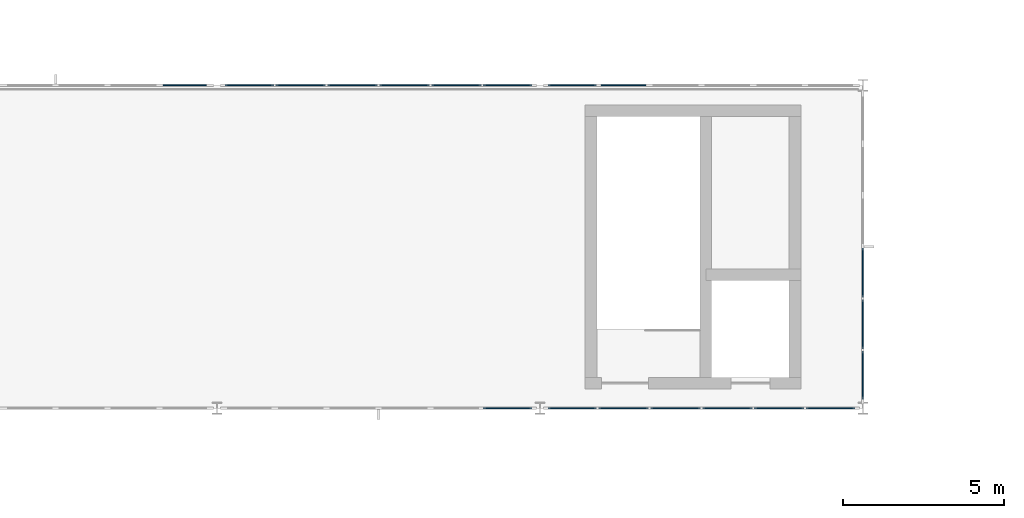
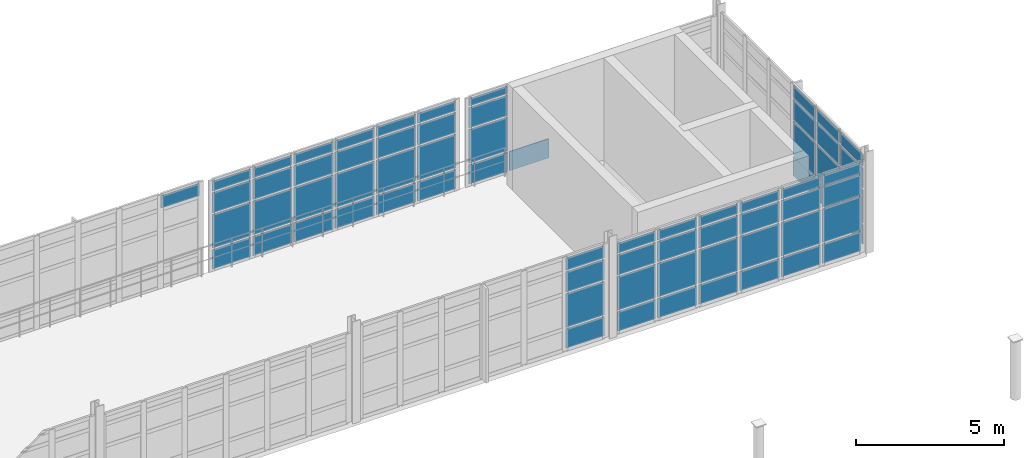
# One storey, part 82 of 122: 70 plates, 6 elements without a shape of their own.
"""IFC4 building model written with IfcOpenShell, lengths in metres."""

from ifc_helpers import new_model, si_unit, direction, frame, origin, origin_2d, place, context, subcontext, project, spatial, rectangle, extrude, material, layer, layer_set, type_object, element, aggregate, save


model = new_model("IFC4")

# Units and contexts
model_context = context("Model", 3, precision=1e-05, world=origin(), true_north=direction((0.0, 1.0)))
body_context = subcontext(model_context, "Body", "Model", "MODEL_VIEW")
ifc_project = project(units=[si_unit("LENGTHUNIT", "METRE"), si_unit("AREAUNIT", "SQUARE_METRE"), si_unit("VOLUMEUNIT", "CUBIC_METRE"), si_unit("PLANEANGLEUNIT", "RADIAN"), si_unit("MASSUNIT", "GRAM", prefix="KILO"), si_unit("THERMODYNAMICTEMPERATUREUNIT", "KELVIN"), si_unit("POWERUNIT", "WATT")], contexts=[model_context])

# Site, building, storey
site_placement = place(None, origin())
site = spatial("IfcSite", under=ifc_project, at=site_placement, CompositionType="ELEMENT")
building_placement = place(site_placement, origin())
building = spatial("IfcBuilding", under=site, at=building_placement, Name="Korenveer Ferry Terminal", CompositionType="ELEMENT")
storey_placement = place(building_placement, frame((0.0, 0.0, 10.199951171875)))
storey = spatial("IfcBuildingStorey", under=building, at=storey_placement, Name="L02", CompositionType="ELEMENT", Elevation=10.199951171875)

# Curtain wall, plates
ifc_material_1 = material(Name="Unitised bronze-and-glass curtain wall", Category="glass")
ifc_layer_1 = layer(ifc_material_1, 0.219970703125)
ifc_layer_set_1 = layer_set([ifc_layer_1], Name="Unitised bronze-and-glass curtain wall")
curtain_wall_type_1 = type_object("IfcCurtainWallType", Name="ENV-CW-92", PredefinedType="USERDEFINED", material=ifc_layer_set_1)
curtain_wall_1_placement = place(storey_placement, frame((103.179931640625, 50.0, 0.0)))
curtain_wall_1 = element("IfcCurtainWall", 1, at=curtain_wall_1_placement, inside=storey, type_object=curtain_wall_type_1, Name="Lancet curtain wall CWX-L02-X103-113-Y50-50", ObjectType="UNITISED CURTAIN WALL", PredefinedType="USERDEFINED")
ifc_material_2 = material(Name="Acoustic laminated marine glazing", Category="glass")
ifc_layer_2 = layer(ifc_material_2, 0.035888671875)
ifc_layer_set_2 = layer_set([ifc_layer_2], Name="Acoustic laminated marine glazing")
plate_type = type_object("IfcPlateType", Name="ENV-CWP-GLZ36", PredefinedType="CURTAIN_PANEL", material=ifc_layer_set_2)
plate_1_placement = place(storey_placement, frame((111.997802734375, 50.0, 0.074951171875), z_axis=(0.0, 0.0, 1.0), x_axis=(1.0, 0.0, 0.0)))
plate_1 = element("IfcPlate", 2, at=plate_1_placement, type_object=plate_type, Name="CW-92 panel 6.1", PredefinedType="CURTAIN_PANEL", context=body_context, shape_type="SweptSolid", body=[
    extrude(rectangle(XDim=1.494140625, YDim=0.035888671875, at=origin_2d()), origin(), (0.0, 0.0, 1.0), 0.78759765625),
])
plate_2_placement = place(storey_placement, frame((111.997802734375, 50.0, 0.9375), z_axis=(0.0, 0.0, 1.0), x_axis=(1.0, 0.0, 0.0)))
plate_2 = element("IfcPlate", 3, at=plate_2_placement, type_object=plate_type, Name="CW-92 panel 6.2", PredefinedType="CURTAIN_PANEL", context=body_context, shape_type="SweptSolid", body=[
    extrude(rectangle(XDim=1.494140625, YDim=0.035888671875, at=origin_2d()), origin(), (0.0, 0.0, 1.0), 1.375),
])
plate_3_placement = place(storey_placement, frame((111.997802734375, 50.0, 2.3876953125), z_axis=(0.0, 0.0, 1.0), x_axis=(1.0, 0.0, 0.0)))
plate_3 = element("IfcPlate", 4, at=plate_3_placement, type_object=plate_type, Name="CW-92 panel 6.3", PredefinedType="CURTAIN_PANEL", context=body_context, shape_type="SweptSolid", body=[
    extrude(rectangle(XDim=1.494140625, YDim=0.035888671875, at=origin_2d()), origin(), (0.0, 0.0, 1.0), 0.824951171875),
])
plate_4_placement = place(storey_placement, frame((111.997802734375, 50.0, 3.28759765625), z_axis=(0.0, 0.0, 1.0), x_axis=(1.0, 0.0, 0.0)))
plate_4 = element("IfcPlate", 5, at=plate_4_placement, type_object=plate_type, Name="CW-92 panel 6.4", PredefinedType="CURTAIN_PANEL", context=body_context, shape_type="SweptSolid", body=[
    extrude(rectangle(XDim=1.494140625, YDim=0.035888671875, at=origin_2d()), origin(), (0.0, 0.0, 1.0), 0.49755859375),
])
aggregate(curtain_wall_1, [plate_1, plate_2, plate_3, plate_4])

ifc_layer_3 = layer(ifc_material_1, 0.219970703125)
ifc_layer_set_3 = layer_set([ifc_layer_3], Name="Unitised bronze-and-glass curtain wall")
curtain_wall_type_2 = type_object("IfcCurtainWallType", Name="ENV-CW-90", PredefinedType="USERDEFINED", material=ifc_layer_set_3)
curtain_wall_2_placement = place(storey_placement, frame((113.179931640625, 50.0, 0.0)))
curtain_wall_2 = element("IfcCurtainWall", 6, at=curtain_wall_2_placement, inside=storey, type_object=curtain_wall_type_2, Name="Lancet curtain wall CWX-L02-X113-123-Y50-50", ObjectType="UNITISED CURTAIN WALL", PredefinedType="USERDEFINED")
plate_5_placement = place(storey_placement, frame((114.002197265625, 50.0, 0.074951171875), z_axis=(0.0, 0.0, 1.0), x_axis=(1.0, 0.0, 0.0)))
plate_5 = element("IfcPlate", 7, at=plate_5_placement, type_object=plate_type, Name="CW-90 panel 1.1", PredefinedType="CURTAIN_PANEL", context=body_context, shape_type="SweptSolid", body=[
    extrude(rectangle(XDim=1.494140625, YDim=0.035888671875, at=origin_2d()), origin(), (0.0, 0.0, 1.0), 0.78759765625),
])
plate_6_placement = place(storey_placement, frame((114.002197265625, 50.0, 0.9375), z_axis=(0.0, 0.0, 1.0), x_axis=(1.0, 0.0, 0.0)))
plate_6 = element("IfcPlate", 8, at=plate_6_placement, type_object=plate_type, Name="CW-90 panel 1.2", PredefinedType="CURTAIN_PANEL", context=body_context, shape_type="SweptSolid", body=[
    extrude(rectangle(XDim=1.494140625, YDim=0.035888671875, at=origin_2d()), origin(), (0.0, 0.0, 1.0), 1.375),
])
plate_7_placement = place(storey_placement, frame((114.002197265625, 50.0, 2.3876953125), z_axis=(0.0, 0.0, 1.0), x_axis=(1.0, 0.0, 0.0)))
plate_7 = element("IfcPlate", 9, at=plate_7_placement, type_object=plate_type, Name="CW-90 panel 1.3", PredefinedType="CURTAIN_PANEL", context=body_context, shape_type="SweptSolid", body=[
    extrude(rectangle(XDim=1.494140625, YDim=0.035888671875, at=origin_2d()), origin(), (0.0, 0.0, 1.0), 0.824951171875),
])
plate_8_placement = place(storey_placement, frame((114.002197265625, 50.0, 3.28759765625), z_axis=(0.0, 0.0, 1.0), x_axis=(1.0, 0.0, 0.0)))
plate_8 = element("IfcPlate", 10, at=plate_8_placement, type_object=plate_type, Name="CW-90 panel 1.4", PredefinedType="CURTAIN_PANEL", context=body_context, shape_type="SweptSolid", body=[
    extrude(rectangle(XDim=1.494140625, YDim=0.035888671875, at=origin_2d()), origin(), (0.0, 0.0, 1.0), 0.3974609375),
])
plate_9_placement = place(storey_placement, frame((115.590087890625, 50.0, 0.074951171875), z_axis=(0.0, 0.0, 1.0), x_axis=(1.0, 0.0, 0.0)))
plate_9 = element("IfcPlate", 11, at=plate_9_placement, type_object=plate_type, Name="CW-90 panel 2.1", PredefinedType="CURTAIN_PANEL", context=body_context, shape_type="SweptSolid", body=[
    extrude(rectangle(XDim=1.53173828125, YDim=0.035888671875, at=origin_2d()), origin(), (0.0, 0.0, 1.0), 0.78759765625),
])
plate_10_placement = place(storey_placement, frame((115.590087890625, 50.0, 0.9375), z_axis=(0.0, 0.0, 1.0), x_axis=(1.0, 0.0, 0.0)))
plate_10 = element("IfcPlate", 12, at=plate_10_placement, type_object=plate_type, Name="CW-90 panel 2.2", PredefinedType="CURTAIN_PANEL", context=body_context, shape_type="SweptSolid", body=[
    extrude(rectangle(XDim=1.53173828125, YDim=0.035888671875, at=origin_2d()), origin(), (0.0, 0.0, 1.0), 1.375),
])
plate_11_placement = place(storey_placement, frame((115.590087890625, 50.0, 2.3876953125), z_axis=(0.0, 0.0, 1.0), x_axis=(1.0, 0.0, 0.0)))
plate_11 = element("IfcPlate", 13, at=plate_11_placement, type_object=plate_type, Name="CW-90 panel 2.3", PredefinedType="CURTAIN_PANEL", context=body_context, shape_type="SweptSolid", body=[
    extrude(rectangle(XDim=1.53173828125, YDim=0.035888671875, at=origin_2d()), origin(), (0.0, 0.0, 1.0), 0.824951171875),
])
plate_12_placement = place(storey_placement, frame((115.590087890625, 50.0, 3.28759765625), z_axis=(0.0, 0.0, 1.0), x_axis=(1.0, 0.0, 0.0)))
plate_12 = element("IfcPlate", 14, at=plate_12_placement, type_object=plate_type, Name="CW-90 panel 2.4", PredefinedType="CURTAIN_PANEL", context=body_context, shape_type="SweptSolid", body=[
    extrude(rectangle(XDim=1.53173828125, YDim=0.035888671875, at=origin_2d()), origin(), (0.0, 0.0, 1.0), 0.3974609375),
])
plate_13_placement = place(storey_placement, frame((117.19677734375, 50.0, 0.074951171875), z_axis=(0.0, 0.0, 1.0), x_axis=(1.0, 0.0, 0.0)))
plate_13 = element("IfcPlate", 15, at=plate_13_placement, type_object=plate_type, Name="CW-90 panel 3.1", PredefinedType="CURTAIN_PANEL", context=body_context, shape_type="SweptSolid", body=[
    extrude(rectangle(XDim=1.53173828125, YDim=0.035888671875, at=origin_2d()), origin(), (0.0, 0.0, 1.0), 0.78759765625),
])
plate_14_placement = place(storey_placement, frame((117.19677734375, 50.0, 0.9375), z_axis=(0.0, 0.0, 1.0), x_axis=(1.0, 0.0, 0.0)))
plate_14 = element("IfcPlate", 16, at=plate_14_placement, type_object=plate_type, Name="CW-90 panel 3.2", PredefinedType="CURTAIN_PANEL", context=body_context, shape_type="SweptSolid", body=[
    extrude(rectangle(XDim=1.53173828125, YDim=0.035888671875, at=origin_2d()), origin(), (0.0, 0.0, 1.0), 1.375),
])
plate_15_placement = place(storey_placement, frame((117.19677734375, 50.0, 2.3876953125), z_axis=(0.0, 0.0, 1.0), x_axis=(1.0, 0.0, 0.0)))
plate_15 = element("IfcPlate", 17, at=plate_15_placement, type_object=plate_type, Name="CW-90 panel 3.3", PredefinedType="CURTAIN_PANEL", context=body_context, shape_type="SweptSolid", body=[
    extrude(rectangle(XDim=1.53173828125, YDim=0.035888671875, at=origin_2d()), origin(), (0.0, 0.0, 1.0), 0.824951171875),
])
plate_16_placement = place(storey_placement, frame((117.19677734375, 50.0, 3.28759765625), z_axis=(0.0, 0.0, 1.0), x_axis=(1.0, 0.0, 0.0)))
plate_16 = element("IfcPlate", 18, at=plate_16_placement, type_object=plate_type, Name="CW-90 panel 3.4", PredefinedType="CURTAIN_PANEL", context=body_context, shape_type="SweptSolid", body=[
    extrude(rectangle(XDim=1.53173828125, YDim=0.035888671875, at=origin_2d()), origin(), (0.0, 0.0, 1.0), 0.3974609375),
])
plate_17_placement = place(storey_placement, frame((118.80322265625, 50.0, 0.074951171875), z_axis=(0.0, 0.0, 1.0), x_axis=(1.0, 0.0, 0.0)))
plate_17 = element("IfcPlate", 19, at=plate_17_placement, type_object=plate_type, Name="CW-90 panel 4.1", PredefinedType="CURTAIN_PANEL", context=body_context, shape_type="SweptSolid", body=[
    extrude(rectangle(XDim=1.53173828125, YDim=0.035888671875, at=origin_2d()), origin(), (0.0, 0.0, 1.0), 0.78759765625),
])
plate_18_placement = place(storey_placement, frame((118.80322265625, 50.0, 0.9375), z_axis=(0.0, 0.0, 1.0), x_axis=(1.0, 0.0, 0.0)))
plate_18 = element("IfcPlate", 20, at=plate_18_placement, type_object=plate_type, Name="CW-90 panel 4.2", PredefinedType="CURTAIN_PANEL", context=body_context, shape_type="SweptSolid", body=[
    extrude(rectangle(XDim=1.53173828125, YDim=0.035888671875, at=origin_2d()), origin(), (0.0, 0.0, 1.0), 1.375),
])
plate_19_placement = place(storey_placement, frame((118.80322265625, 50.0, 2.3876953125), z_axis=(0.0, 0.0, 1.0), x_axis=(1.0, 0.0, 0.0)))
plate_19 = element("IfcPlate", 21, at=plate_19_placement, type_object=plate_type, Name="CW-90 panel 4.3", PredefinedType="CURTAIN_PANEL", context=body_context, shape_type="SweptSolid", body=[
    extrude(rectangle(XDim=1.53173828125, YDim=0.035888671875, at=origin_2d()), origin(), (0.0, 0.0, 1.0), 0.824951171875),
])
plate_20_placement = place(storey_placement, frame((118.80322265625, 50.0, 3.28759765625), z_axis=(0.0, 0.0, 1.0), x_axis=(1.0, 0.0, 0.0)))
plate_20 = element("IfcPlate", 22, at=plate_20_placement, type_object=plate_type, Name="CW-90 panel 4.4", PredefinedType="CURTAIN_PANEL", context=body_context, shape_type="SweptSolid", body=[
    extrude(rectangle(XDim=1.53173828125, YDim=0.035888671875, at=origin_2d()), origin(), (0.0, 0.0, 1.0), 0.3974609375),
])
plate_21_placement = place(storey_placement, frame((120.409912109375, 50.0, 0.074951171875), z_axis=(0.0, 0.0, 1.0), x_axis=(1.0, 0.0, 0.0)))
plate_21 = element("IfcPlate", 23, at=plate_21_placement, type_object=plate_type, Name="CW-90 panel 5.1", PredefinedType="CURTAIN_PANEL", context=body_context, shape_type="SweptSolid", body=[
    extrude(rectangle(XDim=1.53173828125, YDim=0.035888671875, at=origin_2d()), origin(), (0.0, 0.0, 1.0), 0.78759765625),
])
plate_22_placement = place(storey_placement, frame((120.409912109375, 50.0, 0.9375), z_axis=(0.0, 0.0, 1.0), x_axis=(1.0, 0.0, 0.0)))
plate_22 = element("IfcPlate", 24, at=plate_22_placement, type_object=plate_type, Name="CW-90 panel 5.2", PredefinedType="CURTAIN_PANEL", context=body_context, shape_type="SweptSolid", body=[
    extrude(rectangle(XDim=1.53173828125, YDim=0.035888671875, at=origin_2d()), origin(), (0.0, 0.0, 1.0), 1.375),
])
plate_23_placement = place(storey_placement, frame((120.409912109375, 50.0, 2.3876953125), z_axis=(0.0, 0.0, 1.0), x_axis=(1.0, 0.0, 0.0)))
plate_23 = element("IfcPlate", 25, at=plate_23_placement, type_object=plate_type, Name="CW-90 panel 5.3", PredefinedType="CURTAIN_PANEL", context=body_context, shape_type="SweptSolid", body=[
    extrude(rectangle(XDim=1.53173828125, YDim=0.035888671875, at=origin_2d()), origin(), (0.0, 0.0, 1.0), 0.824951171875),
])
plate_24_placement = place(storey_placement, frame((120.409912109375, 50.0, 3.28759765625), z_axis=(0.0, 0.0, 1.0), x_axis=(1.0, 0.0, 0.0)))
plate_24 = element("IfcPlate", 26, at=plate_24_placement, type_object=plate_type, Name="CW-90 panel 5.4", PredefinedType="CURTAIN_PANEL", context=body_context, shape_type="SweptSolid", body=[
    extrude(rectangle(XDim=1.53173828125, YDim=0.035888671875, at=origin_2d()), origin(), (0.0, 0.0, 1.0), 0.3974609375),
])
plate_25_placement = place(storey_placement, frame((121.997802734375, 50.0, 0.074951171875), z_axis=(0.0, 0.0, 1.0), x_axis=(1.0, 0.0, 0.0)))
plate_25 = element("IfcPlate", 27, at=plate_25_placement, type_object=plate_type, Name="CW-90 panel 6.1", PredefinedType="CURTAIN_PANEL", context=body_context, shape_type="SweptSolid", body=[
    extrude(rectangle(XDim=1.494140625, YDim=0.035888671875, at=origin_2d()), origin(), (0.0, 0.0, 1.0), 0.78759765625),
])
plate_26_placement = place(storey_placement, frame((121.997802734375, 50.0, 0.9375), z_axis=(0.0, 0.0, 1.0), x_axis=(1.0, 0.0, 0.0)))
plate_26 = element("IfcPlate", 28, at=plate_26_placement, type_object=plate_type, Name="CW-90 panel 6.2", PredefinedType="CURTAIN_PANEL", context=body_context, shape_type="SweptSolid", body=[
    extrude(rectangle(XDim=1.494140625, YDim=0.035888671875, at=origin_2d()), origin(), (0.0, 0.0, 1.0), 1.375),
])
plate_27_placement = place(storey_placement, frame((121.997802734375, 50.0, 2.3876953125), z_axis=(0.0, 0.0, 1.0), x_axis=(1.0, 0.0, 0.0)))
plate_27 = element("IfcPlate", 29, at=plate_27_placement, type_object=plate_type, Name="CW-90 panel 6.3", PredefinedType="CURTAIN_PANEL", context=body_context, shape_type="SweptSolid", body=[
    extrude(rectangle(XDim=1.494140625, YDim=0.035888671875, at=origin_2d()), origin(), (0.0, 0.0, 1.0), 0.824951171875),
])
plate_28_placement = place(storey_placement, frame((121.997802734375, 50.0, 3.28759765625), z_axis=(0.0, 0.0, 1.0), x_axis=(1.0, 0.0, 0.0)))
plate_28 = element("IfcPlate", 30, at=plate_28_placement, type_object=plate_type, Name="CW-90 panel 6.4", PredefinedType="CURTAIN_PANEL", context=body_context, shape_type="SweptSolid", body=[
    extrude(rectangle(XDim=1.494140625, YDim=0.035888671875, at=origin_2d()), origin(), (0.0, 0.0, 1.0), 0.3974609375),
])
aggregate(curtain_wall_2, [plate_5, plate_6, plate_7, plate_8, plate_9, plate_10, plate_11, plate_12, plate_13, plate_14, plate_15, plate_16, plate_17, plate_18, plate_19, plate_20, plate_21, plate_22, plate_23, plate_24, plate_25, plate_26, plate_27, plate_28])

# Curtain wall, plate
curtain_wall_3_placement = place(storey_placement, frame((93.179931640625, 60.0, 0.0)))
curtain_wall_3 = element("IfcCurtainWall", 31, at=curtain_wall_3_placement, inside=storey, type_object=curtain_wall_type_1, Name="Lancet curtain wall CWX-L02-X93-103-Y60-60", ObjectType="UNITISED CURTAIN WALL", PredefinedType="USERDEFINED")
plate_29_placement = place(storey_placement, frame((101.997802734375, 60.0, 3.28759765625), z_axis=(0.0, 0.0, 1.0), x_axis=(1.0, 0.0, 0.0)))
plate_29 = element("IfcPlate", 32, at=plate_29_placement, type_object=plate_type, Name="CW-92 panel 6.4", PredefinedType="CURTAIN_PANEL", context=body_context, shape_type="SweptSolid", body=[
    extrude(rectangle(XDim=1.494140625, YDim=0.035888671875, at=origin_2d()), origin(), (0.0, 0.0, 1.0), 0.49755859375),
])
aggregate(curtain_wall_3, [plate_29])

# Curtain wall, plates
curtain_wall_4_placement = place(storey_placement, frame((103.179931640625, 60.0, 0.0)))
curtain_wall_4 = element("IfcCurtainWall", 33, at=curtain_wall_4_placement, inside=storey, type_object=curtain_wall_type_2, Name="Lancet curtain wall CWX-L02-X103-113-Y60-60", ObjectType="UNITISED CURTAIN WALL", PredefinedType="USERDEFINED")
plate_30_placement = place(storey_placement, frame((104.002197265625, 60.0, 0.074951171875), z_axis=(0.0, 0.0, 1.0), x_axis=(1.0, 0.0, 0.0)))
plate_30 = element("IfcPlate", 34, at=plate_30_placement, type_object=plate_type, Name="CW-90 panel 1.1", PredefinedType="CURTAIN_PANEL", context=body_context, shape_type="SweptSolid", body=[
    extrude(rectangle(XDim=1.494140625, YDim=0.035888671875, at=origin_2d()), origin(), (0.0, 0.0, 1.0), 0.78759765625),
])
plate_31_placement = place(storey_placement, frame((104.002197265625, 60.0, 0.9375), z_axis=(0.0, 0.0, 1.0), x_axis=(1.0, 0.0, 0.0)))
plate_31 = element("IfcPlate", 35, at=plate_31_placement, type_object=plate_type, Name="CW-90 panel 1.2", PredefinedType="CURTAIN_PANEL", context=body_context, shape_type="SweptSolid", body=[
    extrude(rectangle(XDim=1.494140625, YDim=0.035888671875, at=origin_2d()), origin(), (0.0, 0.0, 1.0), 1.375),
])
plate_32_placement = place(storey_placement, frame((104.002197265625, 60.0, 2.3876953125), z_axis=(0.0, 0.0, 1.0), x_axis=(1.0, 0.0, 0.0)))
plate_32 = element("IfcPlate", 36, at=plate_32_placement, type_object=plate_type, Name="CW-90 panel 1.3", PredefinedType="CURTAIN_PANEL", context=body_context, shape_type="SweptSolid", body=[
    extrude(rectangle(XDim=1.494140625, YDim=0.035888671875, at=origin_2d()), origin(), (0.0, 0.0, 1.0), 0.824951171875),
])
plate_33_placement = place(storey_placement, frame((104.002197265625, 60.0, 3.28759765625), z_axis=(0.0, 0.0, 1.0), x_axis=(1.0, 0.0, 0.0)))
plate_33 = element("IfcPlate", 37, at=plate_33_placement, type_object=plate_type, Name="CW-90 panel 1.4", PredefinedType="CURTAIN_PANEL", context=body_context, shape_type="SweptSolid", body=[
    extrude(rectangle(XDim=1.494140625, YDim=0.035888671875, at=origin_2d()), origin(), (0.0, 0.0, 1.0), 0.3974609375),
])
plate_34_placement = place(storey_placement, frame((105.590087890625, 60.0, 0.074951171875), z_axis=(0.0, 0.0, 1.0), x_axis=(1.0, 0.0, 0.0)))
plate_34 = element("IfcPlate", 38, at=plate_34_placement, type_object=plate_type, Name="CW-90 panel 2.1", PredefinedType="CURTAIN_PANEL", context=body_context, shape_type="SweptSolid", body=[
    extrude(rectangle(XDim=1.53173828125, YDim=0.035888671875, at=origin_2d()), origin(), (0.0, 0.0, 1.0), 0.78759765625),
])
plate_35_placement = place(storey_placement, frame((105.590087890625, 60.0, 0.9375), z_axis=(0.0, 0.0, 1.0), x_axis=(1.0, 0.0, 0.0)))
plate_35 = element("IfcPlate", 39, at=plate_35_placement, type_object=plate_type, Name="CW-90 panel 2.2", PredefinedType="CURTAIN_PANEL", context=body_context, shape_type="SweptSolid", body=[
    extrude(rectangle(XDim=1.53173828125, YDim=0.035888671875, at=origin_2d()), origin(), (0.0, 0.0, 1.0), 1.375),
])
plate_36_placement = place(storey_placement, frame((105.590087890625, 60.0, 2.3876953125), z_axis=(0.0, 0.0, 1.0), x_axis=(1.0, 0.0, 0.0)))
plate_36 = element("IfcPlate", 40, at=plate_36_placement, type_object=plate_type, Name="CW-90 panel 2.3", PredefinedType="CURTAIN_PANEL", context=body_context, shape_type="SweptSolid", body=[
    extrude(rectangle(XDim=1.53173828125, YDim=0.035888671875, at=origin_2d()), origin(), (0.0, 0.0, 1.0), 0.824951171875),
])
plate_37_placement = place(storey_placement, frame((105.590087890625, 60.0, 3.28759765625), z_axis=(0.0, 0.0, 1.0), x_axis=(1.0, 0.0, 0.0)))
plate_37 = element("IfcPlate", 41, at=plate_37_placement, type_object=plate_type, Name="CW-90 panel 2.4", PredefinedType="CURTAIN_PANEL", context=body_context, shape_type="SweptSolid", body=[
    extrude(rectangle(XDim=1.53173828125, YDim=0.035888671875, at=origin_2d()), origin(), (0.0, 0.0, 1.0), 0.3974609375),
])
plate_38_placement = place(storey_placement, frame((107.19677734375, 60.0, 0.074951171875), z_axis=(0.0, 0.0, 1.0), x_axis=(1.0, 0.0, 0.0)))
plate_38 = element("IfcPlate", 42, at=plate_38_placement, type_object=plate_type, Name="CW-90 panel 3.1", PredefinedType="CURTAIN_PANEL", context=body_context, shape_type="SweptSolid", body=[
    extrude(rectangle(XDim=1.53173828125, YDim=0.035888671875, at=origin_2d()), origin(), (0.0, 0.0, 1.0), 0.78759765625),
])
plate_39_placement = place(storey_placement, frame((107.19677734375, 60.0, 0.9375), z_axis=(0.0, 0.0, 1.0), x_axis=(1.0, 0.0, 0.0)))
plate_39 = element("IfcPlate", 43, at=plate_39_placement, type_object=plate_type, Name="CW-90 panel 3.2", PredefinedType="CURTAIN_PANEL", context=body_context, shape_type="SweptSolid", body=[
    extrude(rectangle(XDim=1.53173828125, YDim=0.035888671875, at=origin_2d()), origin(), (0.0, 0.0, 1.0), 1.375),
])
plate_40_placement = place(storey_placement, frame((107.19677734375, 60.0, 2.3876953125), z_axis=(0.0, 0.0, 1.0), x_axis=(1.0, 0.0, 0.0)))
plate_40 = element("IfcPlate", 44, at=plate_40_placement, type_object=plate_type, Name="CW-90 panel 3.3", PredefinedType="CURTAIN_PANEL", context=body_context, shape_type="SweptSolid", body=[
    extrude(rectangle(XDim=1.53173828125, YDim=0.035888671875, at=origin_2d()), origin(), (0.0, 0.0, 1.0), 0.824951171875),
])
plate_41_placement = place(storey_placement, frame((107.19677734375, 60.0, 3.28759765625), z_axis=(0.0, 0.0, 1.0), x_axis=(1.0, 0.0, 0.0)))
plate_41 = element("IfcPlate", 45, at=plate_41_placement, type_object=plate_type, Name="CW-90 panel 3.4", PredefinedType="CURTAIN_PANEL", context=body_context, shape_type="SweptSolid", body=[
    extrude(rectangle(XDim=1.53173828125, YDim=0.035888671875, at=origin_2d()), origin(), (0.0, 0.0, 1.0), 0.3974609375),
])
plate_42_placement = place(storey_placement, frame((108.80322265625, 60.0, 0.074951171875), z_axis=(0.0, 0.0, 1.0), x_axis=(1.0, 0.0, 0.0)))
plate_42 = element("IfcPlate", 46, at=plate_42_placement, type_object=plate_type, Name="CW-90 panel 4.1", PredefinedType="CURTAIN_PANEL", context=body_context, shape_type="SweptSolid", body=[
    extrude(rectangle(XDim=1.53173828125, YDim=0.035888671875, at=origin_2d()), origin(), (0.0, 0.0, 1.0), 0.78759765625),
])
plate_43_placement = place(storey_placement, frame((108.80322265625, 60.0, 0.9375), z_axis=(0.0, 0.0, 1.0), x_axis=(1.0, 0.0, 0.0)))
plate_43 = element("IfcPlate", 47, at=plate_43_placement, type_object=plate_type, Name="CW-90 panel 4.2", PredefinedType="CURTAIN_PANEL", context=body_context, shape_type="SweptSolid", body=[
    extrude(rectangle(XDim=1.53173828125, YDim=0.035888671875, at=origin_2d()), origin(), (0.0, 0.0, 1.0), 1.375),
])
plate_44_placement = place(storey_placement, frame((108.80322265625, 60.0, 2.3876953125), z_axis=(0.0, 0.0, 1.0), x_axis=(1.0, 0.0, 0.0)))
plate_44 = element("IfcPlate", 48, at=plate_44_placement, type_object=plate_type, Name="CW-90 panel 4.3", PredefinedType="CURTAIN_PANEL", context=body_context, shape_type="SweptSolid", body=[
    extrude(rectangle(XDim=1.53173828125, YDim=0.035888671875, at=origin_2d()), origin(), (0.0, 0.0, 1.0), 0.824951171875),
])
plate_45_placement = place(storey_placement, frame((108.80322265625, 60.0, 3.28759765625), z_axis=(0.0, 0.0, 1.0), x_axis=(1.0, 0.0, 0.0)))
plate_45 = element("IfcPlate", 49, at=plate_45_placement, type_object=plate_type, Name="CW-90 panel 4.4", PredefinedType="CURTAIN_PANEL", context=body_context, shape_type="SweptSolid", body=[
    extrude(rectangle(XDim=1.53173828125, YDim=0.035888671875, at=origin_2d()), origin(), (0.0, 0.0, 1.0), 0.3974609375),
])
plate_46_placement = place(storey_placement, frame((110.409912109375, 60.0, 0.074951171875), z_axis=(0.0, 0.0, 1.0), x_axis=(1.0, 0.0, 0.0)))
plate_46 = element("IfcPlate", 50, at=plate_46_placement, type_object=plate_type, Name="CW-90 panel 5.1", PredefinedType="CURTAIN_PANEL", context=body_context, shape_type="SweptSolid", body=[
    extrude(rectangle(XDim=1.53173828125, YDim=0.035888671875, at=origin_2d()), origin(), (0.0, 0.0, 1.0), 0.78759765625),
])
plate_47_placement = place(storey_placement, frame((110.409912109375, 60.0, 0.9375), z_axis=(0.0, 0.0, 1.0), x_axis=(1.0, 0.0, 0.0)))
plate_47 = element("IfcPlate", 51, at=plate_47_placement, type_object=plate_type, Name="CW-90 panel 5.2", PredefinedType="CURTAIN_PANEL", context=body_context, shape_type="SweptSolid", body=[
    extrude(rectangle(XDim=1.53173828125, YDim=0.035888671875, at=origin_2d()), origin(), (0.0, 0.0, 1.0), 1.375),
])
plate_48_placement = place(storey_placement, frame((110.409912109375, 60.0, 2.3876953125), z_axis=(0.0, 0.0, 1.0), x_axis=(1.0, 0.0, 0.0)))
plate_48 = element("IfcPlate", 52, at=plate_48_placement, type_object=plate_type, Name="CW-90 panel 5.3", PredefinedType="CURTAIN_PANEL", context=body_context, shape_type="SweptSolid", body=[
    extrude(rectangle(XDim=1.53173828125, YDim=0.035888671875, at=origin_2d()), origin(), (0.0, 0.0, 1.0), 0.824951171875),
])
plate_49_placement = place(storey_placement, frame((110.409912109375, 60.0, 3.28759765625), z_axis=(0.0, 0.0, 1.0), x_axis=(1.0, 0.0, 0.0)))
plate_49 = element("IfcPlate", 53, at=plate_49_placement, type_object=plate_type, Name="CW-90 panel 5.4", PredefinedType="CURTAIN_PANEL", context=body_context, shape_type="SweptSolid", body=[
    extrude(rectangle(XDim=1.53173828125, YDim=0.035888671875, at=origin_2d()), origin(), (0.0, 0.0, 1.0), 0.3974609375),
])
plate_50_placement = place(storey_placement, frame((111.997802734375, 60.0, 0.074951171875), z_axis=(0.0, 0.0, 1.0), x_axis=(1.0, 0.0, 0.0)))
plate_50 = element("IfcPlate", 54, at=plate_50_placement, type_object=plate_type, Name="CW-90 panel 6.1", PredefinedType="CURTAIN_PANEL", context=body_context, shape_type="SweptSolid", body=[
    extrude(rectangle(XDim=1.494140625, YDim=0.035888671875, at=origin_2d()), origin(), (0.0, 0.0, 1.0), 0.78759765625),
])
plate_51_placement = place(storey_placement, frame((111.997802734375, 60.0, 0.9375), z_axis=(0.0, 0.0, 1.0), x_axis=(1.0, 0.0, 0.0)))
plate_51 = element("IfcPlate", 55, at=plate_51_placement, type_object=plate_type, Name="CW-90 panel 6.2", PredefinedType="CURTAIN_PANEL", context=body_context, shape_type="SweptSolid", body=[
    extrude(rectangle(XDim=1.494140625, YDim=0.035888671875, at=origin_2d()), origin(), (0.0, 0.0, 1.0), 1.375),
])
plate_52_placement = place(storey_placement, frame((111.997802734375, 60.0, 2.3876953125), z_axis=(0.0, 0.0, 1.0), x_axis=(1.0, 0.0, 0.0)))
plate_52 = element("IfcPlate", 56, at=plate_52_placement, type_object=plate_type, Name="CW-90 panel 6.3", PredefinedType="CURTAIN_PANEL", context=body_context, shape_type="SweptSolid", body=[
    extrude(rectangle(XDim=1.494140625, YDim=0.035888671875, at=origin_2d()), origin(), (0.0, 0.0, 1.0), 0.824951171875),
])
plate_53_placement = place(storey_placement, frame((111.997802734375, 60.0, 3.28759765625), z_axis=(0.0, 0.0, 1.0), x_axis=(1.0, 0.0, 0.0)))
plate_53 = element("IfcPlate", 57, at=plate_53_placement, type_object=plate_type, Name="CW-90 panel 6.4", PredefinedType="CURTAIN_PANEL", context=body_context, shape_type="SweptSolid", body=[
    extrude(rectangle(XDim=1.494140625, YDim=0.035888671875, at=origin_2d()), origin(), (0.0, 0.0, 1.0), 0.3974609375),
])
aggregate(curtain_wall_4, [plate_30, plate_31, plate_32, plate_33, plate_34, plate_35, plate_36, plate_37, plate_38, plate_39, plate_40, plate_41, plate_42, plate_43, plate_44, plate_45, plate_46, plate_47, plate_48, plate_49, plate_50, plate_51, plate_52, plate_53])

ifc_layer_4 = layer(ifc_material_1, 0.219970703125)
ifc_layer_set_4 = layer_set([ifc_layer_4], Name="Unitised bronze-and-glass curtain wall")
curtain_wall_type_3 = type_object("IfcCurtainWallType", Name="ENV-CW-91", PredefinedType="USERDEFINED", material=ifc_layer_set_4)
curtain_wall_5_placement = place(storey_placement, frame((113.179931640625, 60.0, 0.0)))
curtain_wall_5 = element("IfcCurtainWall", 58, at=curtain_wall_5_placement, inside=storey, type_object=curtain_wall_type_3, Name="Lancet curtain wall CWX-L02-X113-123-Y60-60", ObjectType="UNITISED CURTAIN WALL", PredefinedType="USERDEFINED")
plate_54_placement = place(storey_placement, frame((114.002197265625, 60.0, 0.074951171875), z_axis=(0.0, 0.0, 1.0), x_axis=(1.0, 0.0, 0.0)))
plate_54 = element("IfcPlate", 59, at=plate_54_placement, type_object=plate_type, Name="CW-91 panel 1.1", PredefinedType="CURTAIN_PANEL", context=body_context, shape_type="SweptSolid", body=[
    extrude(rectangle(XDim=1.494140625, YDim=0.035888671875, at=origin_2d()), origin(), (0.0, 0.0, 1.0), 0.78759765625),
])
plate_55_placement = place(storey_placement, frame((114.002197265625, 60.0, 0.9375), z_axis=(0.0, 0.0, 1.0), x_axis=(1.0, 0.0, 0.0)))
plate_55 = element("IfcPlate", 60, at=plate_55_placement, type_object=plate_type, Name="CW-91 panel 1.2", PredefinedType="CURTAIN_PANEL", context=body_context, shape_type="SweptSolid", body=[
    extrude(rectangle(XDim=1.494140625, YDim=0.035888671875, at=origin_2d()), origin(), (0.0, 0.0, 1.0), 1.375),
])
plate_56_placement = place(storey_placement, frame((114.002197265625, 60.0, 2.3876953125), z_axis=(0.0, 0.0, 1.0), x_axis=(1.0, 0.0, 0.0)))
plate_56 = element("IfcPlate", 61, at=plate_56_placement, type_object=plate_type, Name="CW-91 panel 1.3", PredefinedType="CURTAIN_PANEL", context=body_context, shape_type="SweptSolid", body=[
    extrude(rectangle(XDim=1.494140625, YDim=0.035888671875, at=origin_2d()), origin(), (0.0, 0.0, 1.0), 0.824951171875),
])
plate_57_placement = place(storey_placement, frame((114.002197265625, 60.0, 3.28759765625), z_axis=(0.0, 0.0, 1.0), x_axis=(1.0, 0.0, 0.0)))
plate_57 = element("IfcPlate", 62, at=plate_57_placement, type_object=plate_type, Name="CW-91 panel 1.4", PredefinedType="CURTAIN_PANEL", context=body_context, shape_type="SweptSolid", body=[
    extrude(rectangle(XDim=1.494140625, YDim=0.035888671875, at=origin_2d()), origin(), (0.0, 0.0, 1.0), 0.297607421875),
])
plate_58_placement = place(storey_placement, frame((115.590087890625, 60.0, 0.074951171875), z_axis=(0.0, 0.0, 1.0), x_axis=(1.0, 0.0, 0.0)))
plate_58 = element("IfcPlate", 63, at=plate_58_placement, type_object=plate_type, Name="CW-91 panel 2.1", PredefinedType="CURTAIN_PANEL", context=body_context, shape_type="SweptSolid", body=[
    extrude(rectangle(XDim=1.53173828125, YDim=0.035888671875, at=origin_2d()), origin(), (0.0, 0.0, 1.0), 0.78759765625),
])
aggregate(curtain_wall_5, [plate_54, plate_55, plate_56, plate_57, plate_58])

ifc_layer_5 = layer(ifc_material_1, 0.219970703125)
ifc_layer_set_5 = layer_set([ifc_layer_5], Name="Unitised bronze-and-glass curtain wall")
curtain_wall_type_4 = type_object("IfcCurtainWallType", Name="ENV-CW-120", PredefinedType="USERDEFINED", material=ifc_layer_set_5)
curtain_wall_6_placement = place(storey_placement, frame((123.0, 59.7900390625, 0.0)))
curtain_wall_6 = element("IfcCurtainWall", 64, at=curtain_wall_6_placement, inside=storey, type_object=curtain_wall_type_4, Name="Lancet curtain wall CWX-L02-X123-123-Y50-60", ObjectType="UNITISED CURTAIN WALL", PredefinedType="USERDEFINED")
plate_59_placement = place(storey_placement, frame((123.0, 54.20166015625, 0.074951171875), z_axis=(0.0, 0.0, 1.0), x_axis=(0.0, -1.0, 0.0)))
plate_59 = element("IfcPlate", 65, at=plate_59_placement, type_object=plate_type, Name="CW-120 panel 4.1", PredefinedType="CURTAIN_PANEL", context=body_context, shape_type="SweptSolid", body=[
    extrude(rectangle(XDim=1.521728515625, YDim=0.035888671875, at=origin_2d()), origin(), (0.0, 0.0, 1.0), 0.78759765625),
])
plate_60_placement = place(storey_placement, frame((123.0, 54.20166015625, 0.9375), z_axis=(0.0, 0.0, 1.0), x_axis=(0.0, -1.0, 0.0)))
plate_60 = element("IfcPlate", 66, at=plate_60_placement, type_object=plate_type, Name="CW-120 panel 4.2", PredefinedType="CURTAIN_PANEL", context=body_context, shape_type="SweptSolid", body=[
    extrude(rectangle(XDim=1.521728515625, YDim=0.035888671875, at=origin_2d()), origin(), (0.0, 0.0, 1.0), 1.375),
])
plate_61_placement = place(storey_placement, frame((123.0, 54.20166015625, 2.3876953125), z_axis=(0.0, 0.0, 1.0), x_axis=(0.0, -1.0, 0.0)))
plate_61 = element("IfcPlate", 67, at=plate_61_placement, type_object=plate_type, Name="CW-120 panel 4.3", PredefinedType="CURTAIN_PANEL", context=body_context, shape_type="SweptSolid", body=[
    extrude(rectangle(XDim=1.521728515625, YDim=0.035888671875, at=origin_2d()), origin(), (0.0, 0.0, 1.0), 0.824951171875),
])
plate_62_placement = place(storey_placement, frame((123.0, 54.20166015625, 3.28759765625), z_axis=(0.0, 0.0, 1.0), x_axis=(0.0, -1.0, 0.0)))
plate_62 = element("IfcPlate", 68, at=plate_62_placement, type_object=plate_type, Name="CW-120 panel 4.4", PredefinedType="CURTAIN_PANEL", context=body_context, shape_type="SweptSolid", body=[
    extrude(rectangle(XDim=1.521728515625, YDim=0.035888671875, at=origin_2d()), origin(), (0.0, 0.0, 1.0), 0.49755859375),
])
plate_63_placement = place(storey_placement, frame((123.0, 52.60498046875, 0.074951171875), z_axis=(0.0, 0.0, 1.0), x_axis=(0.0, -1.0, 0.0)))
plate_63 = element("IfcPlate", 69, at=plate_63_placement, type_object=plate_type, Name="CW-120 panel 5.1", PredefinedType="CURTAIN_PANEL", context=body_context, shape_type="SweptSolid", body=[
    extrude(rectangle(XDim=1.521728515625, YDim=0.035888671875, at=origin_2d()), origin(), (0.0, 0.0, 1.0), 0.78759765625),
])
plate_64_placement = place(storey_placement, frame((123.0, 52.60498046875, 0.9375), z_axis=(0.0, 0.0, 1.0), x_axis=(0.0, -1.0, 0.0)))
plate_64 = element("IfcPlate", 70, at=plate_64_placement, type_object=plate_type, Name="CW-120 panel 5.2", PredefinedType="CURTAIN_PANEL", context=body_context, shape_type="SweptSolid", body=[
    extrude(rectangle(XDim=1.521728515625, YDim=0.035888671875, at=origin_2d()), origin(), (0.0, 0.0, 1.0), 1.375),
])
plate_65_placement = place(storey_placement, frame((123.0, 52.60498046875, 2.3876953125), z_axis=(0.0, 0.0, 1.0), x_axis=(0.0, -1.0, 0.0)))
plate_65 = element("IfcPlate", 71, at=plate_65_placement, type_object=plate_type, Name="CW-120 panel 5.3", PredefinedType="CURTAIN_PANEL", context=body_context, shape_type="SweptSolid", body=[
    extrude(rectangle(XDim=1.521728515625, YDim=0.035888671875, at=origin_2d()), origin(), (0.0, 0.0, 1.0), 0.824951171875),
])
plate_66_placement = place(storey_placement, frame((123.0, 52.60498046875, 3.28759765625), z_axis=(0.0, 0.0, 1.0), x_axis=(0.0, -1.0, 0.0)))
plate_66 = element("IfcPlate", 72, at=plate_66_placement, type_object=plate_type, Name="CW-120 panel 5.4", PredefinedType="CURTAIN_PANEL", context=body_context, shape_type="SweptSolid", body=[
    extrude(rectangle(XDim=1.521728515625, YDim=0.035888671875, at=origin_2d()), origin(), (0.0, 0.0, 1.0), 0.49755859375),
])
plate_67_placement = place(storey_placement, frame((123.0, 51.027099609375, 0.074951171875), z_axis=(0.0, 0.0, 1.0), x_axis=(0.0, -1.0, 0.0)))
plate_67 = element("IfcPlate", 73, at=plate_67_placement, type_object=plate_type, Name="CW-120 panel 6.1", PredefinedType="CURTAIN_PANEL", context=body_context, shape_type="SweptSolid", body=[
    extrude(rectangle(XDim=1.484130859375, YDim=0.035888671875, at=origin_2d()), origin(), (0.0, 0.0, 1.0), 0.78759765625),
])
plate_68_placement = place(storey_placement, frame((123.0, 51.027099609375, 0.9375), z_axis=(0.0, 0.0, 1.0), x_axis=(0.0, -1.0, 0.0)))
plate_68 = element("IfcPlate", 74, at=plate_68_placement, type_object=plate_type, Name="CW-120 panel 6.2", PredefinedType="CURTAIN_PANEL", context=body_context, shape_type="SweptSolid", body=[
    extrude(rectangle(XDim=1.484130859375, YDim=0.035888671875, at=origin_2d()), origin(), (0.0, 0.0, 1.0), 1.375),
])
plate_69_placement = place(storey_placement, frame((123.0, 51.027099609375, 2.3876953125), z_axis=(0.0, 0.0, 1.0), x_axis=(0.0, -1.0, 0.0)))
plate_69 = element("IfcPlate", 75, at=plate_69_placement, type_object=plate_type, Name="CW-120 panel 6.3", PredefinedType="CURTAIN_PANEL", context=body_context, shape_type="SweptSolid", body=[
    extrude(rectangle(XDim=1.484130859375, YDim=0.035888671875, at=origin_2d()), origin(), (0.0, 0.0, 1.0), 0.824951171875),
])
plate_70_placement = place(storey_placement, frame((123.0, 51.027099609375, 3.28759765625), z_axis=(0.0, 0.0, 1.0), x_axis=(0.0, -1.0, 0.0)))
plate_70 = element("IfcPlate", 76, at=plate_70_placement, type_object=plate_type, Name="CW-120 panel 6.4", PredefinedType="CURTAIN_PANEL", context=body_context, shape_type="SweptSolid", body=[
    extrude(rectangle(XDim=1.484130859375, YDim=0.035888671875, at=origin_2d()), origin(), (0.0, 0.0, 1.0), 0.49755859375),
])
aggregate(curtain_wall_6, [plate_59, plate_60, plate_61, plate_62, plate_63, plate_64, plate_65, plate_66, plate_67, plate_68, plate_69, plate_70])

save(model, "model.ifc")
